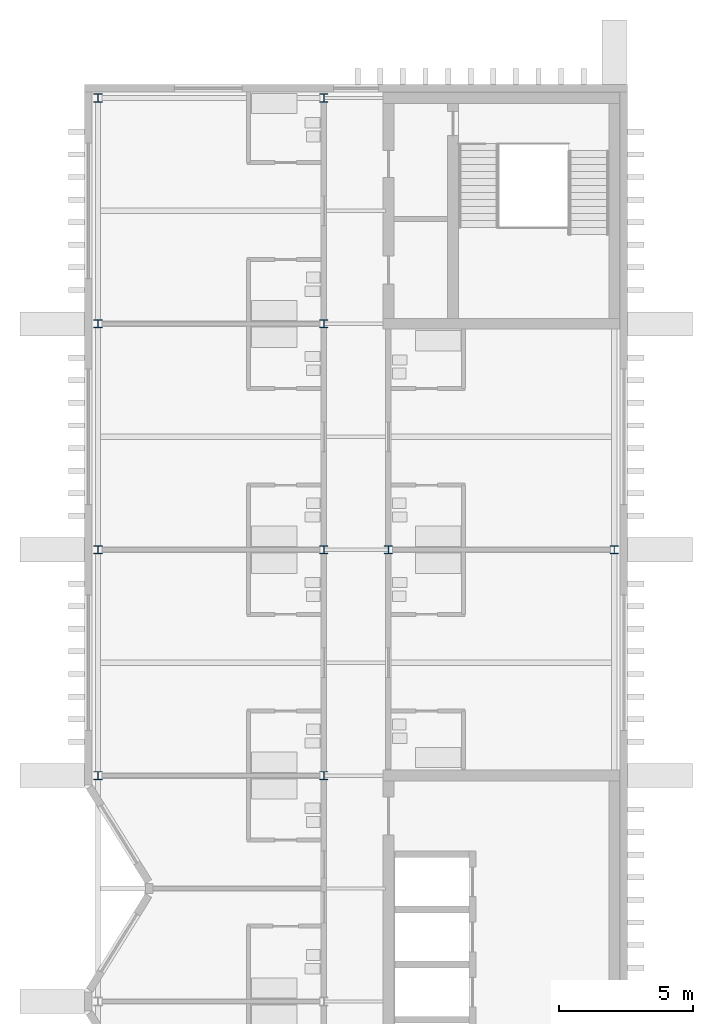
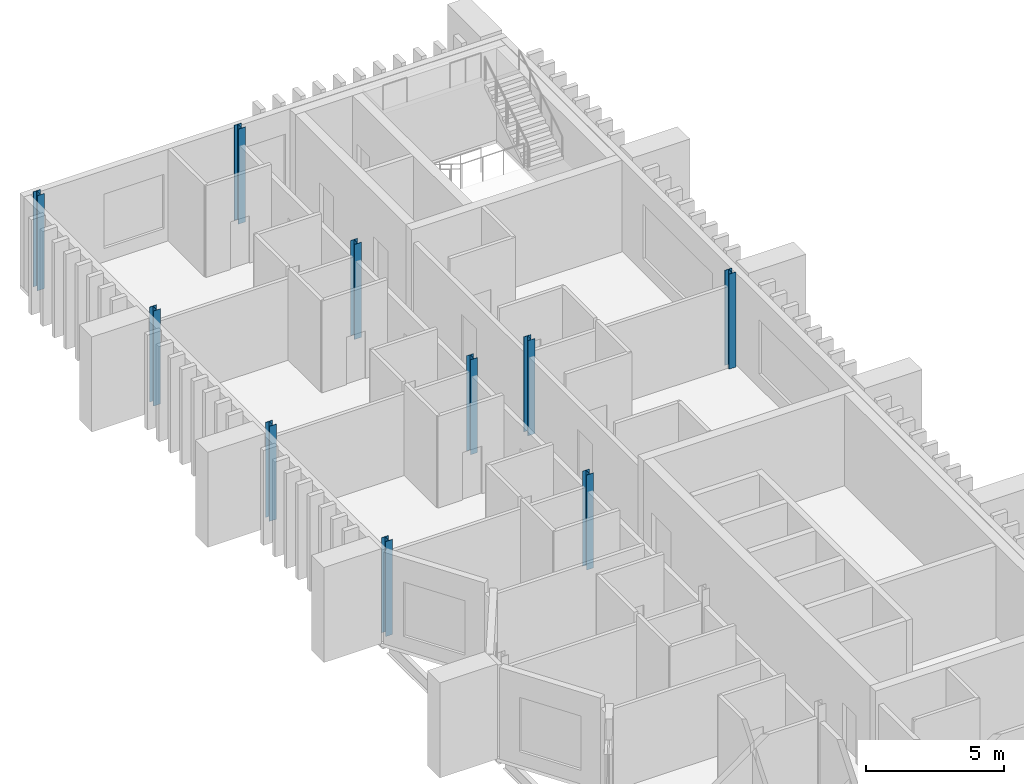
# One storey, part 2 of 10: 10 columns.
"""IFC4 building model written with IfcOpenShell, lengths in metres."""

from ifc_helpers import new_model, si_unit, direction, frame, origin, origin_2d, place, context, subcontext, project, spatial, i_section, extrude, material, material_profile, profile_set, type_object, element, save


model = new_model("IFC4")

# Units and contexts
model_context = context("Model", 3, precision=1e-05, world=origin(), true_north=direction((0.0, 1.0)))
body_context = subcontext(model_context, "Body", "Model", "MODEL_VIEW")
ifc_project = project(units=[si_unit("LENGTHUNIT", "METRE"), si_unit("AREAUNIT", "SQUARE_METRE"), si_unit("VOLUMEUNIT", "CUBIC_METRE"), si_unit("PLANEANGLEUNIT", "RADIAN"), si_unit("MASSUNIT", "GRAM", prefix="KILO")], contexts=[model_context])

# Site, building, storey
site_placement = place(None, origin())
site = spatial("IfcSite", under=ifc_project, at=site_placement, CompositionType="ELEMENT")
building_placement = place(site_placement, origin())
building = spatial("IfcBuilding", under=site, at=building_placement, Name="Cresset Court Congress Hotel", CompositionType="ELEMENT")
storey_placement = place(building_placement, frame((0.0, 0.0, 56.39990234375)))
storey = spatial("IfcBuildingStorey", under=building, at=storey_placement, Name="L13", CompositionType="ELEMENT", Elevation=56.39990234375)

# Columns
ifc_material = material(Name="Structural steel Q355B", Category="steel")
ifc_material_profile = material_profile(ifc_material, i_section(OverallWidth=0.300048828125, OverallDepth=0.300048828125, WebThickness=0.010009765625, FlangeThickness=0.014892578125, FilletRadius=0.012939453125, at=origin_2d()), Name="HW300x300x10x15")
ifc_profile_set = profile_set([ifc_material_profile], Name="Structural steel Q355B")
column_type = type_object("IfcColumnType", Name="Steel column HW300x300x10x15", PredefinedType="COLUMN", material=ifc_profile_set)
for number, where, z_axis, x_axis, name in (
    (1, (157.199951171875, 42.0, 0.0), (0.0, 0.0, 1.0), (1.0, 0.0, 0.0), "Column L13 6-20"),
    (2, (157.199951171875, 50.39990234375, 0.0), (0.0, 0.0, 1.0), (1.0, 0.0, 0.0), "Column L13 7-20"),
    (3, (157.199951171875, 58.800048828125, 0.0), (0.0, 0.0, 1.0), (1.0, 0.0, 0.0), "Column L13 8-20"),
    (4, (157.199951171875, 67.199951171875, 0.0), (0.0, 0.0, 1.0), (1.0, 0.0, 0.0), "Column L13 9-20"),
    (5, (165.60009765625, 42.0, 0.0), (0.0, 0.0, 1.0), (1.0, 0.0, 0.0), "Column L13 6-21"),
    (6, (165.60009765625, 50.39990234375, 0.0), (0.0, 0.0, 1.0), (1.0, 0.0, 0.0), "Column L13 7-21"),
    (7, (165.60009765625, 58.800048828125, 0.0), (0.0, 0.0, 1.0), (1.0, 0.0, 0.0), "Column L13 8-21"),
    (8, (165.60009765625, 67.199951171875, 0.0), (0.0, 0.0, 1.0), (1.0, 0.0, 0.0), "Column L13 9-21"),
    (9, (168.0, 50.39990234375, 0.0), (0.0, 0.0, 1.0), (1.0, 0.0, 0.0), "Column L13 7-22"),
    (10, (176.39990234375, 50.39990234375, 0.0), (0.0, 0.0, 1.0), (1.0, 0.0, 0.0), "Column L13 7-23"),
):
    element("IfcColumn", number, at=place(storey_placement, frame(where, z_axis=z_axis, x_axis=x_axis)), inside=storey, type_object=column_type, Name=name, PredefinedType="COLUMN", context=body_context, shape_type="SweptSolid", body=[
        extrude(i_section(OverallWidth=0.300048828125, OverallDepth=0.300048828125, WebThickness=0.010009765625, FlangeThickness=0.014892578125, FilletRadius=0.012939453125, at=origin_2d()), origin(), (0.0, 0.0, 1.0), 4.2001953125),
    ])

save(model, "model.ifc")
